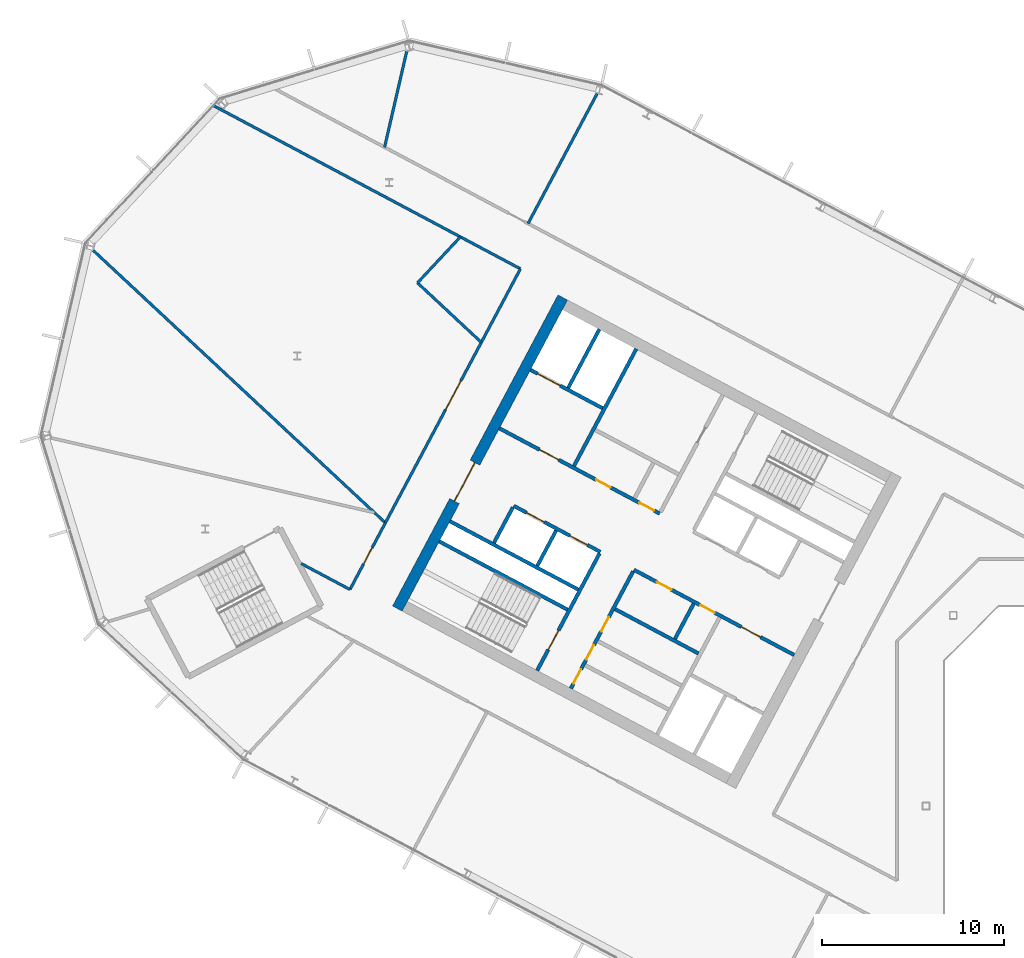
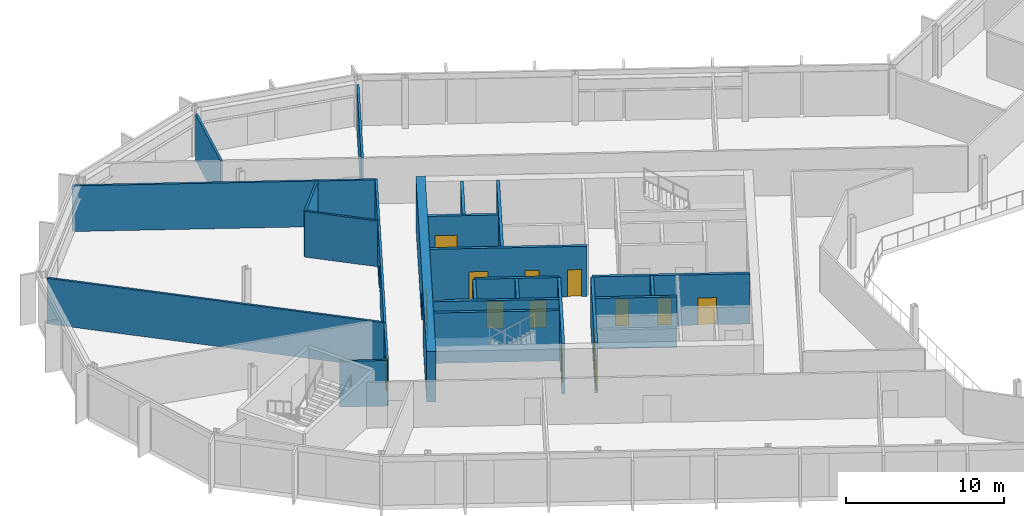
# One storey, part 13 of 26: 24 walls, 16 doors, 16 openings.
"""IFC4 building model written with IfcOpenShell, lengths in metres."""

from ifc_helpers import new_model, si_unit, direction, frame, frame_2d, origin, place, context, subcontext, project, spatial, rectangle, extrude, material, layer, layer_set, type_object, element, fill, save


model = new_model("IFC4")

# Units and contexts
model_context = context("Model", 3, precision=1e-05, world=origin(), true_north=direction((0.0, 1.0)))
body_context = subcontext(model_context, "Body", "Model", "MODEL_VIEW")
ifc_project = project(units=[si_unit("LENGTHUNIT", "METRE"), si_unit("AREAUNIT", "SQUARE_METRE"), si_unit("VOLUMEUNIT", "CUBIC_METRE"), si_unit("PLANEANGLEUNIT", "RADIAN"), si_unit("MASSUNIT", "GRAM", prefix="KILO")], contexts=[model_context])

# Site, building, storey
site_placement = place(None, origin())
site = spatial("IfcSite", under=ifc_project, at=site_placement, CompositionType="ELEMENT")
building_placement = place(site_placement, origin())
building = spatial("IfcBuilding", under=site, at=building_placement, Name="Cormorant Relay Tower", CompositionType="ELEMENT")
storey_placement = place(building_placement, frame((0.0, 0.0, 244.199951171875)))
storey = spatial("IfcBuildingStorey", under=building, at=storey_placement, Name="L54", CompositionType="ELEMENT", Elevation=244.199951171875)

# Walls
ifc_material_1 = material(Name="Concrete 40 MPa", Category="concrete")
ifc_layer_1 = layer(ifc_material_1, 0.199951171875)
ifc_layer_set_1 = layer_set([ifc_layer_1], Name="Core internal wall 200")
wall_type_1 = type_object("IfcWallType", Name="Core internal wall 200", PredefinedType="SOLIDWALL", material=ifc_layer_set_1)
for number, where, z_axis, x_axis, name in (
    (1, (-24.79052734375, 11.142822265625, 0.0), (0.0, 0.0, 1.0), (-0.469487830541, -0.882938942948, 0.0), "L54 core A shaft and room wall"),
    (2, (-32.3662109375, 15.1708984375, 0.0), (0.0, 0.0, 1.0), (-0.469487830541, -0.882938942948, 0.0), "L54 core A shaft and room wall"),
):
    element("IfcWall", number, at=place(storey_placement, frame(where, z_axis=z_axis, x_axis=x_axis)), inside=storey, type_object=wall_type_1, Name=name, PredefinedType="SOLIDWALL", context=body_context, shape_type="SweptSolid", body=[
        extrude(rectangle(XDim=2.2001953125, YDim=0.199951171875, at=frame_2d((1.10009765625, 0.0))), origin(), (0.0, 0.0, 1.0), 3.900146484375),
    ])

# Wall, openings, doors
ifc_material_2 = material(Name="Concrete 50 MPa", Category="concrete")
ifc_layer_2 = layer(ifc_material_2, 0.199951171875)
ifc_layer_set_2 = layer_set([ifc_layer_2], Name="Core shaft wall 200")
wall_type_2 = type_object("IfcWallType", Name="Core shaft wall 200", PredefinedType="SHEAR", material=ifc_layer_set_2)
wall_1_placement = place(storey_placement, frame((-28.128173828125, 12.91748046875, 0.0), z_axis=(0.0, 0.0, 1.0), x_axis=(-0.469454336211, -0.882956752176, 0.0)))
wall_1 = element("IfcWall", 3, at=wall_1_placement, inside=storey, type_object=wall_type_2, Name="L54 core A shaft wall", PredefinedType="SHEAR", context=body_context, shape_type="SweptSolid", body=[
    extrude(rectangle(XDim=7.300048828125, YDim=0.199951171875, at=frame_2d((3.64990234375, 0.0))), origin(), (0.0, 0.0, 1.0), 3.900146484375),
])
opening_1_placement = place(wall_1_placement, frame((2.85009765625, 0.0, 0.0)))
opening_1 = element("IfcOpeningElement", 4, at=opening_1_placement, cuts=wall_1, Name="Opening CDD-289", PredefinedType="OPENING", context=body_context, shape_type="SweptSolid", body=[
    extrude(rectangle(XDim=0.89990234375, YDim=2.10009765625, at=frame_2d((0.449951171875, 1.050048828125))), frame((0.0, 0.10986328125, 0.0), z_axis=(0.0, -1.0, 0.0), x_axis=(1.0, 0.0, 0.0)), (0.0, 0.0, 1.0), 0.219970703125),
])
opening_2_placement = place(wall_1_placement, frame((4.60009765625, 0.0, 0.0)))
opening_2 = element("IfcOpeningElement", 5, at=opening_2_placement, cuts=wall_1, Name="Opening CDD-290", PredefinedType="OPENING", context=body_context, shape_type="SweptSolid", body=[
    extrude(rectangle(XDim=0.89990234375, YDim=2.10009765625, at=frame_2d((0.449951171875, 1.050048828125))), frame((0.0, 0.10986328125, 0.0), z_axis=(0.0, -1.0, 0.0), x_axis=(1.0, 0.0, 0.0)), (0.0, 0.0, 1.0), 0.219970703125),
])
opening_3_placement = place(wall_1_placement, frame((6.10009765625, 0.0, 0.0)))
opening_3 = element("IfcOpeningElement", 6, at=opening_3_placement, cuts=wall_1, Name="Opening CDD-291", PredefinedType="OPENING", context=body_context, shape_type="SweptSolid", body=[
    extrude(rectangle(XDim=0.89990234375, YDim=2.10009765625, at=frame_2d((0.449951171875, 1.050048828125))), frame((0.0, 0.10986328125, 0.0), z_axis=(0.0, -1.0, 0.0), x_axis=(1.0, 0.0, 0.0)), (0.0, 0.0, 1.0), 0.219970703125),
])
ifc_material_3 = material(Name="Steel fire door", Category="steel")
door_type_1 = type_object("IfcDoorType", Name="Core room door 900x2100", OperationType="SINGLE_SWING_LEFT", PredefinedType="DOOR", material=ifc_material_3)
door_1_placement = place(opening_1_placement, origin())
door_1 = element("IfcDoor", 7, at=door_1_placement, inside=storey, type_object=door_type_1, Name="Core room door 900x2100", OperationType="SINGLE_SWING_LEFT", OverallHeight=2.10009765625, OverallWidth=0.89990234375, PredefinedType="DOOR", context=body_context, shape_type="SweptSolid", body=[
    extrude(rectangle(XDim=0.89990234375, YDim=2.10009765625, at=frame_2d((0.449951171875, 1.050048828125))), frame((0.0, 0.02490234375, 0.0), z_axis=(0.0, -1.0, 0.0), x_axis=(1.0, 0.0, 0.0)), (0.0, 0.0, 1.0), 0.050048828125),
])
fill(opening_1, door_1)
door_2_placement = place(opening_2_placement, origin())
door_2 = element("IfcDoor", 8, at=door_2_placement, inside=storey, type_object=door_type_1, Name="Core room door 900x2100", OperationType="SINGLE_SWING_LEFT", OverallHeight=2.10009765625, OverallWidth=0.89990234375, PredefinedType="DOOR", context=body_context, shape_type="SweptSolid", body=[
    extrude(rectangle(XDim=0.89990234375, YDim=2.10009765625, at=frame_2d((0.449951171875, 1.050048828125))), frame((0.0, 0.02490234375, 0.0), z_axis=(0.0, -1.0, 0.0), x_axis=(1.0, 0.0, 0.0)), (0.0, 0.0, 1.0), 0.050048828125),
])
fill(opening_2, door_2)
door_3_placement = place(opening_3_placement, origin())
door_3 = element("IfcDoor", 9, at=door_3_placement, inside=storey, type_object=door_type_1, Name="Core room door 900x2100", OperationType="SINGLE_SWING_LEFT", OverallHeight=2.10009765625, OverallWidth=0.89990234375, PredefinedType="DOOR", context=body_context, shape_type="SweptSolid", body=[
    extrude(rectangle(XDim=0.89990234375, YDim=2.10009765625, at=frame_2d((0.449951171875, 1.050048828125))), frame((0.0, 0.02490234375, 0.0), z_axis=(0.0, -1.0, 0.0), x_axis=(1.0, 0.0, 0.0)), (0.0, 0.0, 1.0), 0.050048828125),
])
fill(opening_3, door_3)

# Wall, opening, door
wall_2_placement = place(storey_placement, frame((-29.982421875, 13.9033203125, 0.0), z_axis=(0.0, 0.0, 1.0), x_axis=(-0.469454336211, -0.882956752176, 0.0)))
wall_2 = element("IfcWall", 10, at=wall_2_placement, inside=storey, type_object=wall_type_2, Name="L54 core A shaft wall", PredefinedType="SHEAR", context=body_context, shape_type="SweptSolid", body=[
    extrude(rectangle(XDim=7.300048828125, YDim=0.199951171875, at=frame_2d((3.64990234375, 0.0))), origin(), (0.0, 0.0, 1.0), 3.900146484375),
])
opening_4_placement = place(wall_2_placement, frame((4.800048828125, 0.0, 0.0)))
opening_4 = element("IfcOpeningElement", 11, at=opening_4_placement, cuts=wall_2, Name="Opening CDB-039", PredefinedType="OPENING", context=body_context, shape_type="SweptSolid", body=[
    extrude(rectangle(XDim=1.199951171875, YDim=2.10009765625, at=frame_2d((0.60009765625, 1.050048828125))), frame((0.0, 0.10986328125, 0.0), z_axis=(0.0, -1.0, 0.0), x_axis=(1.0, 0.0, 0.0)), (0.0, 0.0, 1.0), 0.219970703125),
])
ifc_material_4 = material(Name="Steel fire door", Category="steel")
door_type_2 = type_object("IfcDoorType", Name="Core stair door 1200x2100", OperationType="SINGLE_SWING_LEFT", PredefinedType="DOOR", material=ifc_material_4)
door_4_placement = place(opening_4_placement, frame((1.199951171875, 0.0, 0.0), z_axis=(0.0, 0.0, 1.0), x_axis=(-1.0, 0.0, 0.0)))
door_4 = element("IfcDoor", 12, at=door_4_placement, inside=storey, type_object=door_type_2, Name="Core stair door 1200x2100", OperationType="SINGLE_SWING_RIGHT", OverallHeight=2.10009765625, OverallWidth=1.199951171875, PredefinedType="DOOR", context=body_context, shape_type="SweptSolid", body=[
    extrude(rectangle(XDim=1.199951171875, YDim=2.10009765625, at=frame_2d((0.60009765625, 1.050048828125))), frame((0.0, 0.02490234375, 0.0), z_axis=(0.0, -1.0, 0.0), x_axis=(1.0, 0.0, 0.0)), (0.0, 0.0, 1.0), 0.050048828125),
])
fill(opening_4, door_4)

# Walls
wall_3_placement = place(storey_placement, frame((-27.955322265625, 25.170654296875, 0.0), z_axis=(0.0, 0.0, 1.0), x_axis=(-0.469480409012, -0.88294288918, 0.0)))
element("IfcWall", 13, at=wall_3_placement, inside=storey, type_object=wall_type_2, Name="L54 core A shaft wall", PredefinedType="SHEAR", context=body_context, shape_type="SweptSolid", body=[
    extrude(rectangle(XDim=7.300048828125, YDim=0.199951171875, at=frame_2d((3.64990234375, 0.0))), origin(), (0.0, 0.0, 1.0), 3.900146484375),
])
wall_4_placement = place(storey_placement, frame((-34.750244140625, 16.4384765625, 0.0), z_axis=(0.0, 0.0, 1.0), x_axis=(-0.469401318492, -0.882984938828, 0.0)))
element("IfcWall", 14, at=wall_4_placement, inside=storey, type_object=wall_type_2, Name="L54 core A shaft wall", PredefinedType="SHEAR", context=body_context, shape_type="SweptSolid", body=[
    extrude(rectangle(XDim=2.199951171875, YDim=0.199951171875, at=frame_2d((1.10009765625, 0.0))), origin(), (0.0, 0.0, 1.0), 3.900146484375),
])
wall_5_placement = place(storey_placement, frame((-29.986083984375, 26.250244140625, 0.0), z_axis=(0.0, 0.0, 1.0), x_axis=(-0.469494272526, -0.882935517501, 0.0)))
element("IfcWall", 15, at=wall_5_placement, inside=storey, type_object=wall_type_2, Name="L54 core A shaft wall", PredefinedType="SHEAR", context=body_context, shape_type="SweptSolid", body=[
    extrude(rectangle(XDim=3.64990234375, YDim=0.199951171875, at=frame_2d((1.824951171875, 0.0))), origin(), (0.0, 0.0, 1.0), 3.900146484375),
])

# Wall, opening, door
wall_6_placement = place(storey_placement, frame((-29.80419921875, 21.906494140625, 0.0), z_axis=(0.0, 0.0, 1.0), x_axis=(-0.882960433586, 0.469447412093, 0.0)))
wall_6 = element("IfcWall", 16, at=wall_6_placement, inside=storey, type_object=wall_type_2, Name="L54 core A shaft wall", PredefinedType="SHEAR", context=body_context, shape_type="SweptSolid", body=[
    extrude(rectangle(XDim=4.5, YDim=0.199951171875, at=frame_2d((2.25, 0.0))), origin(), (0.0, 0.0, 1.0), 3.900146484375),
])
opening_5_placement = place(wall_6_placement, frame((2.64990234375, 0.0, 0.0)))
opening_5 = element("IfcOpeningElement", 17, at=opening_5_placement, cuts=wall_6, Name="Opening LD3-015", PredefinedType="OPENING", context=body_context, shape_type="SweptSolid", body=[
    extrude(rectangle(XDim=1.39990234375, YDim=2.39990234375, at=frame_2d((0.699951171875, 1.199951171875))), frame((0.0, 0.10986328125, 0.0), z_axis=(0.0, -1.0, 0.0), x_axis=(1.0, 0.0, 0.0)), (0.0, 0.0, 1.0), 0.219970703125),
])
ifc_material_5 = material(Name="Stainless steel 316", Category="steel")
door_type_3 = type_object("IfcDoorType", Name="Lift landing door 1400x2400", OperationType="DOUBLE_DOOR_SLIDING", PredefinedType="DOOR", material=ifc_material_5)
door_5_placement = place(opening_5_placement, origin())
door_5 = element("IfcDoor", 18, at=door_5_placement, inside=storey, type_object=door_type_3, Name="SV1 landing door", OperationType="DOUBLE_DOOR_SLIDING", OverallHeight=2.39990234375, OverallWidth=1.39990234375, PredefinedType="DOOR", context=body_context, shape_type="SweptSolid", body=[
    extrude(rectangle(XDim=1.39990234375, YDim=2.39990234375, at=frame_2d((0.699951171875, 1.199951171875))), frame((0.0, 0.02490234375, 0.0), z_axis=(0.0, -1.0, 0.0), x_axis=(1.0, 0.0, 0.0)), (0.0, 0.0, 1.0), 0.050048828125),
])
fill(opening_5, door_5)

# Wall, openings, doors
wall_7_placement = place(storey_placement, frame((-26.66162109375, 16.1015625, 0.0), z_axis=(0.0, 0.0, 1.0), x_axis=(-0.882940221191, 0.469485426614, 0.0)))
wall_7 = element("IfcWall", 19, at=wall_7_placement, inside=storey, type_object=wall_type_2, Name="L54 core A shaft wall", PredefinedType="SHEAR", context=body_context, shape_type="SweptSolid", body=[
    extrude(rectangle(XDim=10.0, YDim=0.199951171875, at=frame_2d((5.0, 0.0))), origin(), (0.0, 0.0, 1.0), 3.900146484375),
])
opening_6_placement = place(wall_7_placement, frame((6.300048828125, 0.0, 0.0)))
opening_6 = element("IfcOpeningElement", 20, at=opening_6_placement, cuts=wall_7, Name="Opening CDC-034", PredefinedType="OPENING", context=body_context, shape_type="SweptSolid", body=[
    extrude(rectangle(XDim=1.199951171875, YDim=2.10009765625, at=frame_2d((0.60009765625, 1.050048828125))), frame((0.0, 0.10986328125, 0.0), z_axis=(0.0, -1.0, 0.0), x_axis=(1.0, 0.0, 0.0)), (0.0, 0.0, 1.0), 0.219970703125),
])
opening_7_placement = place(wall_7_placement, frame((0.360107421875, 0.0, 0.0)))
opening_7 = element("IfcOpeningElement", 21, at=opening_7_placement, cuts=wall_7, Name="Opening CDD-234", PredefinedType="OPENING", context=body_context, shape_type="SweptSolid", body=[
    extrude(rectangle(XDim=0.89990234375, YDim=2.10009765625, at=frame_2d((0.449951171875, 1.050048828125))), frame((0.0, 0.10986328125, 0.0), z_axis=(0.0, -1.0, 0.0), x_axis=(1.0, 0.0, 0.0)), (0.0, 0.0, 1.0), 0.219970703125),
])
opening_8_placement = place(wall_7_placement, frame((3.06005859375, 0.0, 0.0)))
opening_8 = element("IfcOpeningElement", 22, at=opening_8_placement, cuts=wall_7, Name="Opening CDD-288", PredefinedType="OPENING", context=body_context, shape_type="SweptSolid", body=[
    extrude(rectangle(XDim=0.89990234375, YDim=2.10009765625, at=frame_2d((0.449951171875, 1.050048828125))), frame((0.0, 0.10986328125, 0.0), z_axis=(0.0, -1.0, 0.0), x_axis=(1.0, 0.0, 0.0)), (0.0, 0.0, 1.0), 0.219970703125),
])
ifc_material_6 = material(Name="Steel fire door", Category="steel")
door_type_4 = type_object("IfcDoorType", Name="Core lobby door 1200x2100", OperationType="SINGLE_SWING_LEFT", PredefinedType="DOOR", material=ifc_material_6)
door_6_placement = place(opening_6_placement, origin())
door_6 = element("IfcDoor", 23, at=door_6_placement, inside=storey, type_object=door_type_4, Name="Core lobby door 1200x2100", OperationType="SINGLE_SWING_LEFT", OverallHeight=2.10009765625, OverallWidth=1.199951171875, PredefinedType="DOOR", context=body_context, shape_type="SweptSolid", body=[
    extrude(rectangle(XDim=1.199951171875, YDim=2.10009765625, at=frame_2d((0.60009765625, 1.050048828125))), frame((0.0, 0.02490234375, 0.0), z_axis=(0.0, -1.0, 0.0), x_axis=(1.0, 0.0, 0.0)), (0.0, 0.0, 1.0), 0.050048828125),
])
fill(opening_6, door_6)
door_7_placement = place(opening_7_placement, frame((0.89990234375, 0.0, 0.0), z_axis=(0.0, 0.0, 1.0), x_axis=(-1.0, 0.0, 0.0)))
door_7 = element("IfcDoor", 24, at=door_7_placement, inside=storey, type_object=door_type_1, Name="Core room door 900x2100", OperationType="SINGLE_SWING_RIGHT", OverallHeight=2.10009765625, OverallWidth=0.89990234375, PredefinedType="DOOR", context=body_context, shape_type="SweptSolid", body=[
    extrude(rectangle(XDim=0.89990234375, YDim=2.10009765625, at=frame_2d((0.449951171875, 1.050048828125))), frame((0.0, 0.02490234375, 0.0), z_axis=(0.0, -1.0, 0.0), x_axis=(1.0, 0.0, 0.0)), (0.0, 0.0, 1.0), 0.050048828125),
])
fill(opening_7, door_7)
door_8_placement = place(opening_8_placement, origin())
door_8 = element("IfcDoor", 25, at=door_8_placement, inside=storey, type_object=door_type_1, Name="Core room door 900x2100", OperationType="SINGLE_SWING_LEFT", OverallHeight=2.10009765625, OverallWidth=0.89990234375, PredefinedType="DOOR", context=body_context, shape_type="SweptSolid", body=[
    extrude(rectangle(XDim=0.89990234375, YDim=2.10009765625, at=frame_2d((0.449951171875, 1.050048828125))), frame((0.0, 0.02490234375, 0.0), z_axis=(0.0, -1.0, 0.0), x_axis=(1.0, 0.0, 0.0)), (0.0, 0.0, 1.0), 0.050048828125),
])
fill(opening_8, door_8)

wall_8_placement = place(storey_placement, frame((-19.251708984375, 8.31103515625, 0.0), z_axis=(0.0, 0.0, 1.0), x_axis=(-0.882955722218, 0.469456273365, 0.0)))
wall_8 = element("IfcWall", 26, at=wall_8_placement, inside=storey, type_object=wall_type_2, Name="L54 core A shaft wall", PredefinedType="SHEAR", context=body_context, shape_type="SweptSolid", body=[
    extrude(rectangle(XDim=10.0, YDim=0.199951171875, at=frame_2d((5.0, 0.0))), origin(), (0.0, 0.0, 1.0), 3.900146484375),
])
opening_9_placement = place(wall_8_placement, frame((2.10009765625, 0.0, 0.0)))
opening_9 = element("IfcOpeningElement", 27, at=opening_9_placement, cuts=wall_8, Name="Opening CDC-033", PredefinedType="OPENING", context=body_context, shape_type="SweptSolid", body=[
    extrude(rectangle(XDim=1.199951171875, YDim=2.10009765625, at=frame_2d((0.60009765625, 1.050048828125))), frame((0.0, 0.10986328125, 0.0), z_axis=(0.0, -1.0, 0.0), x_axis=(1.0, 0.0, 0.0)), (0.0, 0.0, 1.0), 0.219970703125),
])
opening_10_placement = place(wall_8_placement, frame((4.9599609375, 0.0, 0.0)))
opening_10 = element("IfcOpeningElement", 28, at=opening_10_placement, cuts=wall_8, Name="Opening CDD-232", PredefinedType="OPENING", context=body_context, shape_type="SweptSolid", body=[
    extrude(rectangle(XDim=0.89990234375, YDim=2.10009765625, at=frame_2d((0.449951171875, 1.050048828125))), frame((0.0, 0.10986328125, 0.0), z_axis=(0.0, -1.0, 0.0), x_axis=(1.0, 0.0, 0.0)), (0.0, 0.0, 1.0), 0.219970703125),
])
opening_11_placement = place(wall_8_placement, frame((7.659912109375, 0.0, 0.0)))
opening_11 = element("IfcOpeningElement", 29, at=opening_11_placement, cuts=wall_8, Name="Opening CDD-233", PredefinedType="OPENING", context=body_context, shape_type="SweptSolid", body=[
    extrude(rectangle(XDim=0.89990234375, YDim=2.10009765625, at=frame_2d((0.449951171875, 1.050048828125))), frame((0.0, 0.10986328125, 0.0), z_axis=(0.0, -1.0, 0.0), x_axis=(1.0, 0.0, 0.0)), (0.0, 0.0, 1.0), 0.219970703125),
])
door_9_placement = place(opening_9_placement, origin())
door_9 = element("IfcDoor", 30, at=door_9_placement, inside=storey, type_object=door_type_4, Name="Core lobby door 1200x2100", OperationType="SINGLE_SWING_RIGHT", OverallHeight=2.10009765625, OverallWidth=1.199951171875, PredefinedType="DOOR", context=body_context, shape_type="SweptSolid", body=[
    extrude(rectangle(XDim=1.199951171875, YDim=2.10009765625, at=frame_2d((0.60009765625, 1.050048828125))), frame((0.0, 0.02490234375, 0.0), z_axis=(0.0, -1.0, 0.0), x_axis=(1.0, 0.0, 0.0)), (0.0, 0.0, 1.0), 0.050048828125),
])
fill(opening_9, door_9)
door_10_placement = place(opening_10_placement, origin())
door_10 = element("IfcDoor", 31, at=door_10_placement, inside=storey, type_object=door_type_1, Name="Core room door 900x2100", OperationType="SINGLE_SWING_LEFT", OverallHeight=2.10009765625, OverallWidth=0.89990234375, PredefinedType="DOOR", context=body_context, shape_type="SweptSolid", body=[
    extrude(rectangle(XDim=0.89990234375, YDim=2.10009765625, at=frame_2d((0.449951171875, 1.050048828125))), frame((0.0, 0.02490234375, 0.0), z_axis=(0.0, -1.0, 0.0), x_axis=(1.0, 0.0, 0.0)), (0.0, 0.0, 1.0), 0.050048828125),
])
fill(opening_10, door_10)
door_11_placement = place(opening_11_placement, origin())
door_11 = element("IfcDoor", 32, at=door_11_placement, inside=storey, type_object=door_type_1, Name="Core room door 900x2100", OperationType="SINGLE_SWING_LEFT", OverallHeight=2.10009765625, OverallWidth=0.89990234375, PredefinedType="DOOR", context=body_context, shape_type="SweptSolid", body=[
    extrude(rectangle(XDim=0.89990234375, YDim=2.10009765625, at=frame_2d((0.449951171875, 1.050048828125))), frame((0.0, 0.02490234375, 0.0), z_axis=(0.0, -1.0, 0.0), x_axis=(1.0, 0.0, 0.0)), (0.0, 0.0, 1.0), 0.050048828125),
])
fill(opening_11, door_11)

wall_9_placement = place(storey_placement, frame((-29.935302734375, 13.991455078125, 0.0), z_axis=(0.0, 0.0, 1.0), x_axis=(-0.882952937579, 0.469461510692, 0.0)))
wall_9 = element("IfcWall", 33, at=wall_9_placement, inside=storey, type_object=wall_type_2, Name="L54 core A shaft wall", PredefinedType="SHEAR", context=body_context, shape_type="SweptSolid", body=[
    extrude(rectangle(XDim=5.400146484375, YDim=0.199951171875, at=frame_2d((2.7001953125, 0.0))), origin(), (0.0, 0.0, 1.0), 3.900146484375),
])
opening_12_placement = place(wall_9_placement, frame((0.800048828125, 0.0, 0.0)))
opening_12 = element("IfcOpeningElement", 34, at=opening_12_placement, cuts=wall_9, Name="Opening LD1-059", PredefinedType="OPENING", context=body_context, shape_type="SweptSolid", body=[
    extrude(rectangle(XDim=1.10009765625, YDim=2.10009765625, at=frame_2d((0.550048828125, 1.050048828125))), frame((0.0, 0.10986328125, 0.0), z_axis=(0.0, -1.0, 0.0), x_axis=(1.0, 0.0, 0.0)), (0.0, 0.0, 1.0), 0.219970703125),
])
opening_13_placement = place(wall_9_placement, frame((3.5, 0.0, 0.0)))
opening_13 = element("IfcOpeningElement", 35, at=opening_13_placement, cuts=wall_9, Name="Opening LD1-060", PredefinedType="OPENING", context=body_context, shape_type="SweptSolid", body=[
    extrude(rectangle(XDim=1.10009765625, YDim=2.10009765625, at=frame_2d((0.550048828125, 1.050048828125))), frame((0.0, 0.10986328125, 0.0), z_axis=(0.0, -1.0, 0.0), x_axis=(1.0, 0.0, 0.0)), (0.0, 0.0, 1.0), 0.219970703125),
])
ifc_material_7 = material(Name="Stainless steel 316", Category="steel")
door_type_5 = type_object("IfcDoorType", Name="Lift landing door 1100x2100", OperationType="DOUBLE_DOOR_SLIDING", PredefinedType="DOOR", material=ifc_material_7)
door_12_placement = place(opening_12_placement, origin())
door_12 = element("IfcDoor", 36, at=door_12_placement, inside=storey, type_object=door_type_5, Name="MR1 landing door", OperationType="DOUBLE_DOOR_SLIDING", OverallHeight=2.10009765625, OverallWidth=1.10009765625, PredefinedType="DOOR", context=body_context, shape_type="SweptSolid", body=[
    extrude(rectangle(XDim=1.10009765625, YDim=2.10009765625, at=frame_2d((0.550048828125, 1.050048828125))), frame((0.0, 0.02490234375, 0.0), z_axis=(0.0, -1.0, 0.0), x_axis=(1.0, 0.0, 0.0)), (0.0, 0.0, 1.0), 0.050048828125),
])
fill(opening_12, door_12)
door_13_placement = place(opening_13_placement, origin())
door_13 = element("IfcDoor", 37, at=door_13_placement, inside=storey, type_object=door_type_5, Name="MR2 landing door", OperationType="DOUBLE_DOOR_SLIDING", OverallHeight=2.10009765625, OverallWidth=1.10009765625, PredefinedType="DOOR", context=body_context, shape_type="SweptSolid", body=[
    extrude(rectangle(XDim=1.10009765625, YDim=2.10009765625, at=frame_2d((0.550048828125, 1.050048828125))), frame((0.0, 0.02490234375, 0.0), z_axis=(0.0, -1.0, 0.0), x_axis=(1.0, 0.0, 0.0)), (0.0, 0.0, 1.0), 0.050048828125),
])
fill(opening_13, door_13)

# Walls
wall_10_placement = place(storey_placement, frame((-24.5283203125, 8.3984375, 0.0), z_axis=(0.0, 0.0, 1.0), x_axis=(-0.882953967957, 0.469459572775, 0.0)))
element("IfcWall", 38, at=wall_10_placement, inside=storey, type_object=wall_type_2, Name="L54 core A shaft wall", PredefinedType="SHEAR", context=body_context, shape_type="SweptSolid", body=[
    extrude(rectangle(XDim=5.199951171875, YDim=0.199951171875, at=frame_2d((2.60009765625, 0.0))), origin(), (0.0, 0.0, 1.0), 3.900146484375),
])
for number, where, z_axis, x_axis, name in (
    (39, (-31.150390625, 11.91943359375, 0.0), (0.0, 0.0, 1.0), (-0.882940221191, 0.469485426614, 0.0), "L54 core A shaft wall"),
    (40, (-31.7373046875, 10.815673828125, 0.0), (0.0, 0.0, 1.0), (-0.882940221191, 0.469485426614, 0.0), "L54 core A shaft wall"),
):
    element("IfcWall", number, at=place(storey_placement, frame(where, z_axis=z_axis, x_axis=x_axis)), inside=storey, type_object=wall_type_2, Name=name, PredefinedType="SHEAR", context=body_context, shape_type="SweptSolid", body=[
        extrude(rectangle(XDim=8.0, YDim=0.199951171875, at=frame_2d((4.0, 0.0))), origin(), (0.0, 0.0, 1.0), 3.900146484375),
    ])

# Wall, opening, door
ifc_material_8 = material(Name="Concrete 50 MPa", Category="concrete")
ifc_layer_3 = layer(ifc_material_8, 0.60009765625)
ifc_layer_set_3 = layer_set([ifc_layer_3], Name="Core wall 600")
wall_type_3 = type_object("IfcWallType", Name="Core wall 600", PredefinedType="SHEAR", material=ifc_layer_set_3)
wall_11_placement = place(storey_placement, frame((-32.000244140625, 28.000732421875, 0.0), z_axis=(0.0, 0.0, 1.0), x_axis=(-0.469468958625, -0.882948977511, 0.0)))
wall_11 = element("IfcWall", 41, at=wall_11_placement, inside=storey, type_object=wall_type_3, Name="L54 core A wall", PredefinedType="SHEAR", context=body_context, shape_type="SweptSolid", body=[
    extrude(rectangle(XDim=19.39990234375, YDim=0.60009765625, at=frame_2d((9.699951171875, 0.0))), origin(), (0.0, 0.0, 1.0), 3.900146484375),
])
opening_14_placement = place(wall_11_placement, frame((10.300048828125, 0.0, 0.0)))
opening_14 = element("IfcOpeningElement", 42, at=opening_14_placement, cuts=wall_11, Name="Opening CDA-041", PredefinedType="OPENING", context=body_context, shape_type="SweptSolid", body=[
    extrude(rectangle(XDim=2.39990234375, YDim=2.39990234375, at=frame_2d((1.199951171875, 1.199951171875))), frame((0.0, 0.31005859375, 0.0), z_axis=(0.0, -1.0, 0.0), x_axis=(1.0, 0.0, 0.0)), (0.0, 0.0, 1.0), 0.6201171875),
])
ifc_material_9 = material(Name="Steel fire door", Category="steel")
door_type_6 = type_object("IfcDoorType", Name="Core lobby door 2400x2400", OperationType="DOUBLE_DOOR_SINGLE_SWING", PredefinedType="DOOR", material=ifc_material_9)
door_14_placement = place(opening_14_placement, origin())
door_14 = element("IfcDoor", 43, at=door_14_placement, inside=storey, type_object=door_type_6, Name="Core lobby door 2400x2400", OperationType="DOUBLE_DOOR_SINGLE_SWING", OverallHeight=2.39990234375, OverallWidth=2.39990234375, PredefinedType="DOOR", context=body_context, shape_type="SweptSolid", body=[
    extrude(rectangle(XDim=2.39990234375, YDim=2.39990234375, at=frame_2d((1.199951171875, 1.199951171875))), frame((0.0, 0.02490234375, 0.0), z_axis=(0.0, -1.0, 0.0), x_axis=(1.0, 0.0, 0.0)), (0.0, 0.0, 1.0), 0.050048828125),
])
fill(opening_14, door_14)

ifc_material_10 = material(Name="Gypsum board fire partition")
ifc_layer_4 = layer(ifc_material_10, 0.14990234375)
ifc_layer_set_4 = layer_set([ifc_layer_4], Name="Corridor partition 150 EI 60")
wall_type_4 = type_object("IfcWallType", Name="Corridor partition 150 EI 60", PredefinedType="PARTITIONING", material=ifc_layer_set_4)
wall_12_placement = place(storey_placement, frame((-41.76904296875, 15.592041015625, 0.0), z_axis=(0.0, 0.0, 1.0), x_axis=(0.469444027343, 0.882962233163, 0.0)))
wall_12 = element("IfcWall", 44, at=wall_12_placement, inside=storey, type_object=wall_type_4, Name="wall/L54/part/006", PredefinedType="PARTITIONING", context=body_context, shape_type="SweptSolid", body=[
    extrude(rectangle(XDim=15.84228515625, YDim=0.14990234375, at=frame_2d((7.921142578125, 0.0))), origin(), (0.0, 0.0, 1.0), 3.5400390625),
])
opening_15_placement = place(wall_12_placement, frame((7.050048828125, 0.0, 0.0)))
opening_15 = element("IfcOpeningElement", 45, at=opening_15_placement, cuts=wall_12, Name="Opening DD-028", PredefinedType="OPENING", context=body_context, shape_type="SweptSolid", body=[
    extrude(rectangle(XDim=1.800048828125, YDim=2.10009765625, at=frame_2d((0.89990234375, 1.050048828125))), frame((0.0, 0.0849609375, 0.0), z_axis=(0.0, -1.0, 0.0), x_axis=(1.0, 0.0, 0.0)), (0.0, 0.0, 1.0), 0.169921875),
])
ifc_material_11 = material(Name="Timber door leaf", Category="wood")
door_type_7 = type_object("IfcDoorType", Name="Suite double door 1800x2100", OperationType="DOUBLE_DOOR_SINGLE_SWING", PredefinedType="DOOR", material=ifc_material_11)
door_15_placement = place(opening_15_placement, origin())
door_15 = element("IfcDoor", 46, at=door_15_placement, inside=storey, type_object=door_type_7, Name="door/L54/006", OperationType="DOUBLE_DOOR_SINGLE_SWING", OverallHeight=2.10009765625, OverallWidth=1.800048828125, PredefinedType="DOOR", context=body_context, shape_type="SweptSolid", body=[
    extrude(rectangle(XDim=1.800048828125, YDim=2.10009765625, at=frame_2d((0.89990234375, 1.050048828125))), frame((0.0, 0.02490234375, 0.0), z_axis=(0.0, -1.0, 0.0), x_axis=(1.0, 0.0, 0.0)), (0.0, 0.0, 1.0), 0.050048828125),
])
fill(opening_15, door_15)

# Walls
wall_13_placement = place(storey_placement, frame((-34.33203125, 29.580078125, 0.0), z_axis=(0.0, 0.0, 1.0), x_axis=(-0.882939350293, 0.46948706447, 0.0)))
element("IfcWall", 47, at=wall_13_placement, inside=storey, type_object=wall_type_4, Name="wall/L54/part/007", PredefinedType="PARTITIONING", context=body_context, shape_type="SweptSolid", body=[
    extrude(rectangle(XDim=19.327392578125, YDim=0.14990234375, at=frame_2d((9.66357421875, 0.0))), origin(), (0.0, 0.0, 1.0), 3.5400390625),
])
wall_14_placement = place(storey_placement, frame((-46.403076171875, 13.346923828125, 0.0), z_axis=(0.0, 0.0, 1.0), x_axis=(0.882959580004, -0.46944901755, 0.0)))
element("IfcWall", 48, at=wall_14_placement, inside=storey, type_object=wall_type_4, Name="wall/L54/part/012", PredefinedType="PARTITIONING", context=body_context, shape_type="SweptSolid", body=[
    extrude(rectangle(XDim=3.03759765625, YDim=0.14990234375, at=frame_2d((1.518798828125, 0.0))), origin(), (0.0, 0.0, 1.0), 3.5400390625),
])

# Wall, opening, door
wall_15_placement = place(storey_placement, frame((-41.76904296875, 15.592041015625, 0.0), z_axis=(0.0, 0.0, 1.0), x_axis=(-0.468884925056, -0.883259263781, 0.0)))
wall_15 = element("IfcWall", 49, at=wall_15_placement, inside=storey, type_object=wall_type_4, Name="wall/L54/part/013", PredefinedType="PARTITIONING", context=body_context, shape_type="SweptSolid", body=[
    extrude(rectangle(XDim=4.160888671875, YDim=0.14990234375, at=frame_2d((2.08056640625, 0.0))), origin(), (0.0, 0.0, 1.0), 3.5400390625),
])
opening_16_placement = place(wall_15_placement, frame((1.550048828125, 0.0, 0.0)))
opening_16 = element("IfcOpeningElement", 50, at=opening_16_placement, cuts=wall_15, Name="Opening DS-127", PredefinedType="OPENING", context=body_context, shape_type="SweptSolid", body=[
    extrude(rectangle(XDim=1.0, YDim=2.10009765625, at=frame_2d((0.5, 1.050048828125))), frame((0.0, 0.0849609375, 0.0), z_axis=(0.0, -1.0, 0.0), x_axis=(1.0, 0.0, 0.0)), (0.0, 0.0, 1.0), 0.169921875),
])
ifc_material_12 = material(Name="Timber door leaf", Category="wood")
door_type_8 = type_object("IfcDoorType", Name="Suite door 1000x2100", OperationType="SINGLE_SWING_LEFT", PredefinedType="DOOR", material=ifc_material_12)
door_16_placement = place(opening_16_placement, frame((1.0, 0.0, 0.0), z_axis=(0.0, 0.0, 1.0), x_axis=(-1.0, 0.0, 0.0)))
door_16 = element("IfcDoor", 51, at=door_16_placement, inside=storey, type_object=door_type_8, Name="door/L54/007", OperationType="SINGLE_SWING_RIGHT", OverallHeight=2.10009765625, OverallWidth=1.0, PredefinedType="DOOR", context=body_context, shape_type="SweptSolid", body=[
    extrude(rectangle(XDim=1.0, YDim=2.10009765625, at=frame_2d((0.5, 1.050048828125))), frame((0.0, 0.02490234375, 0.0), z_axis=(0.0, -1.0, 0.0), x_axis=(1.0, 0.0, 0.0)), (0.0, 0.0, 1.0), 0.050048828125),
])
fill(opening_16, door_16)

# Walls
ifc_material_13 = material(Name="Gypsum board partition")
ifc_layer_5 = layer(ifc_material_13, 0.14990234375)
ifc_layer_set_5 = layer_set([ifc_layer_5], Name="Tenant partition 150")
wall_type_5 = type_object("IfcWallType", Name="Tenant partition 150", PredefinedType="PARTITIONING", material=ifc_layer_set_5)
wall_16_placement = place(storey_placement, frame((-37.639892578125, 31.339111328125, 0.0), z_axis=(0.0, 0.0, 1.0), x_axis=(-0.681983873773, -0.731367210035, 0.0)))
element("IfcWall", 52, at=wall_16_placement, inside=storey, type_object=wall_type_5, Name="wall/L54/part/002", PredefinedType="PARTITIONING", context=body_context, shape_type="SweptSolid", body=[
    extrude(rectangle(XDim=3.460693359375, YDim=0.14990234375, at=frame_2d((1.73046875, 0.0))), origin(), (0.0, 0.0, 1.0), 3.5400390625),
])
wall_17_placement = place(storey_placement, frame((-40.0, 28.80810546875, 0.0), z_axis=(0.0, 0.0, 1.0), x_axis=(0.731313661346, -0.682041295471, 0.0)))
element("IfcWall", 53, at=wall_17_placement, inside=storey, type_object=wall_type_5, Name="wall/L54/part/003", PredefinedType="PARTITIONING", context=body_context, shape_type="SweptSolid", body=[
    extrude(rectangle(XDim=4.80615234375, YDim=0.14990234375, at=frame_2d((2.403076171875, 0.0))), origin(), (0.0, 0.0, 1.0), 3.5400390625),
])
wall_18_placement = place(storey_placement, frame((-41.76904296875, 15.593017578125, 0.0), z_axis=(0.0, 0.0, 1.0), x_axis=(-0.731378467381, 0.681971801067, 0.0)))
element("IfcWall", 54, at=wall_18_placement, inside=storey, type_object=wall_type_5, Name="wall/L54/part/004", PredefinedType="PARTITIONING", context=body_context, shape_type="SweptSolid", body=[
    extrude(rectangle(XDim=21.999267578125, YDim=0.14990234375, at=frame_2d((10.99951171875, 0.0))), origin(), (0.0, 0.0, 1.0), 3.5400390625),
])
wall_19_placement = place(storey_placement, frame((-30.10888671875, 39.22509765625, 0.0), z_axis=(0.0, 0.0, 1.0), x_axis=(-0.469490973279, -0.882937271843, 0.0)))
element("IfcWall", 55, at=wall_19_placement, inside=storey, type_object=wall_type_5, Name="wall/L54/part/015", PredefinedType="PARTITIONING", context=body_context, shape_type="SweptSolid", body=[
    extrude(rectangle(XDim=8.09814453125, YDim=0.14990234375, at=frame_2d((4.049072265625, 0.0))), origin(), (0.0, 0.0, 1.0), 3.5400390625),
])
wall_20_placement = place(storey_placement, frame((-41.81298828125, 36.27587890625, 0.0), z_axis=(0.0, 0.0, 1.0), x_axis=(0.22495163737, 0.974369930183, 0.0)))
element("IfcWall", 56, at=wall_20_placement, inside=storey, type_object=wall_type_5, Name="wall/L54/part/016", PredefinedType="PARTITIONING", context=body_context, shape_type="SweptSolid", body=[
    extrude(rectangle(XDim=5.4189453125, YDim=0.14990234375, at=frame_2d((2.70947265625, 0.0))), origin(), (0.0, 0.0, 1.0), 3.5400390625),
])

save(model, "model.ifc")
